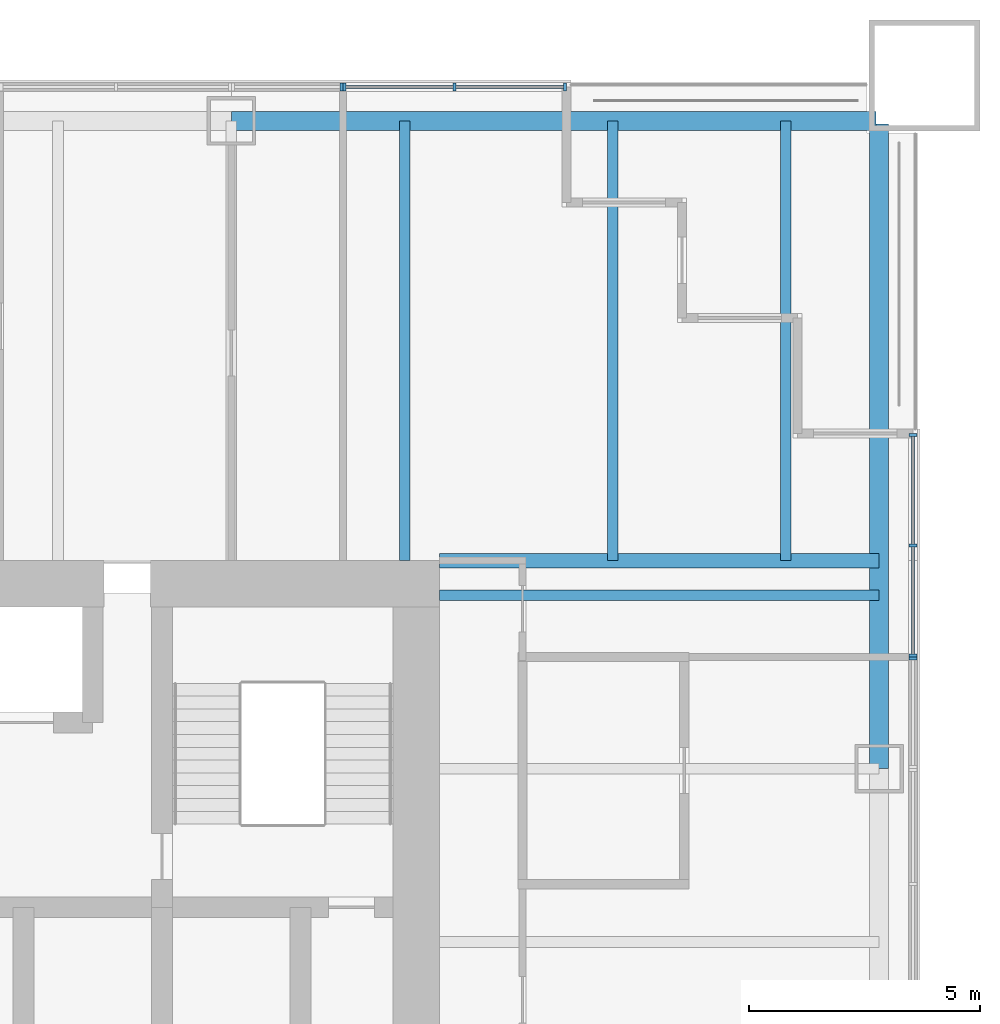
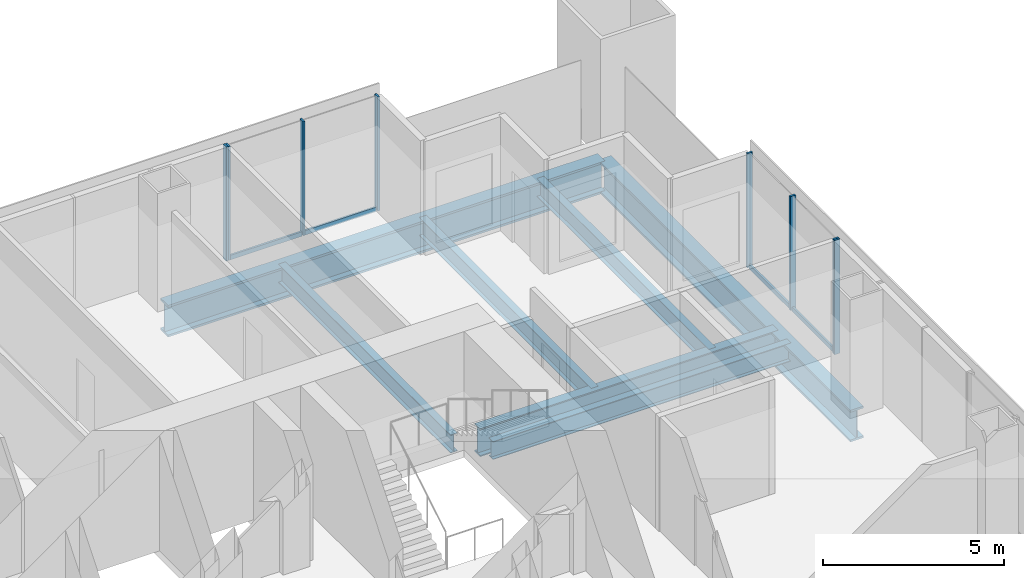
# One storey, part 6 of 13: 12 members, 7 beams, 4 elements without a shape of their own.
"""IFC4 building model written with IfcOpenShell, lengths in metres."""

from ifc_helpers import new_model, si_unit, direction, frame, origin, origin_2d, place, context, subcontext, project, spatial, rectangle, i_section, extrude, material, material_profile, profile_set, type_object, element, aggregate, save


model = new_model("IFC4")

# Units and contexts
model_context = context("Model", 3, precision=1e-05, world=origin(), true_north=direction((0.0, 1.0)))
body_context = subcontext(model_context, "Body", "Model", "MODEL_VIEW")
ifc_project = project(units=[si_unit("LENGTHUNIT", "METRE"), si_unit("AREAUNIT", "SQUARE_METRE"), si_unit("VOLUMEUNIT", "CUBIC_METRE"), si_unit("PLANEANGLEUNIT", "RADIAN"), si_unit("MASSUNIT", "GRAM", prefix="KILO")], contexts=[model_context])

# Site, building, storey
site_placement = place(None, origin())
site = spatial("IfcSite", under=ifc_project, at=site_placement, CompositionType="ELEMENT")
building_placement = place(site_placement, origin())
building = spatial("IfcBuilding", under=site, at=building_placement, Name="Tarangal Relay Tower", CompositionType="ELEMENT")
storey_placement = place(building_placement, frame((0.0, 0.0, 189.89990234375)))
storey = spatial("IfcBuildingStorey", under=building, at=storey_placement, Name="L39", CompositionType="ELEMENT", Elevation=189.89990234375)

# Beams
ifc_material_1 = material(Name="Steel ASTM A992", Category="steel")
ifc_material_profile_1 = material_profile(ifc_material_1, i_section(OverallWidth=0.227783203125, OverallDepth=0.60205078125, WebThickness=0.010498046875, FlangeThickness=0.014892578125, at=origin_2d()), Name="W24X68")
ifc_profile_set_1 = profile_set([ifc_material_profile_1], Name="Steel ASTM A992")
beam_type_1 = type_object("IfcBeamType", Name="Corner beam W24X68", PredefinedType="JOIST", material=ifc_profile_set_1)
for number, where, z_axis, x_axis, name in (
    (1, (15.75, 12.0, -0.450927734375), (0.0, 1.0, 0.0), (-1.0, 0.0, 0.0), "Corner beam CB11 N L39"),
    (2, (19.5, 12.0, -0.450927734375), (0.0, 1.0, 0.0), (-1.0, 0.0, 0.0), "Corner beam CB11 N L39"),
):
    element("IfcBeam", number, at=place(storey_placement, frame(where, z_axis=z_axis, x_axis=x_axis)), inside=storey, type_object=beam_type_1, Name=name, PredefinedType="JOIST", context=body_context, shape_type="SweptSolid", body=[
        extrude(i_section(OverallWidth=0.227783203125, OverallDepth=0.60205078125, WebThickness=0.010498046875, FlangeThickness=0.014892578125, at=origin_2d()), origin(), (0.0, 0.0, 1.0), 9.514892578125),
    ])
ifc_material_profile_2 = material_profile(ifc_material_1, i_section(OverallWidth=0.307373046875, OverallDepth=0.9423828125, WebThickness=0.022216796875, FlangeThickness=0.039794921875, at=origin_2d()), Name="W36X232")
ifc_profile_set_2 = profile_set([ifc_material_profile_2], Name="Steel ASTM A992")
beam_type_2 = type_object("IfcBeamType", Name="Corner girder W36X232", PredefinedType="BEAM", material=ifc_profile_set_2)
beam_placement = place(storey_placement, frame((12.0, 12.0, -0.62109375), z_axis=(1.0, 0.0, 0.0), x_axis=(0.0, 1.0, 0.0)))
element("IfcBeam", 3, at=beam_placement, inside=storey, type_object=beam_type_2, Name="Corner girder CG4 N L39", PredefinedType="BEAM", context=body_context, shape_type="SweptSolid", body=[
    extrude(i_section(OverallWidth=0.307373046875, OverallDepth=0.9423828125, WebThickness=0.022216796875, FlangeThickness=0.039794921875, at=origin_2d()), origin(), (0.0, 0.0, 1.0), 9.514892578125),
])
ifc_material_profile_3 = material_profile(ifc_material_1, i_section(OverallWidth=0.41650390625, OverallDepth=1.0693359375, WebThickness=0.0390625, FlangeThickness=0.070068359375, at=origin_2d()), Name="W40X503")
ifc_profile_set_3 = profile_set([ifc_material_profile_3], Name="Steel ASTM A992")
beam_type_3 = type_object("IfcBeamType", Name="Edge girder W40X503", PredefinedType="SPANDREL", material=ifc_profile_set_3)
for number, where, z_axis, x_axis, name in (
    (4, (7.5, 21.514892578125, -0.6845703125), (1.0, 0.0, 0.0), (0.0, 1.0, 0.0), "Edge girder EG8 N L39"),
    (5, (21.514892578125, 21.449951171875, -0.6845703125), (0.0, -1.0, 0.0), (1.0, 0.0, 0.0), "Edge girder EG8 E L39"),
):
    element("IfcBeam", number, at=place(storey_placement, frame(where, z_axis=z_axis, x_axis=x_axis)), inside=storey, type_object=beam_type_3, Name=name, PredefinedType="SPANDREL", context=body_context, shape_type="SweptSolid", body=[
        extrude(i_section(OverallWidth=0.41650390625, OverallDepth=1.0693359375, WebThickness=0.0390625, FlangeThickness=0.070068359375, at=origin_2d()), origin(), (0.0, 0.0, 1.0), 13.949951171875),
    ])
ifc_material_profile_4 = material_profile(ifc_material_1, i_section(OverallWidth=0.22900390625, OverallDepth=0.612060546875, WebThickness=0.011962890625, FlangeThickness=0.01953125, at=origin_2d()), Name="W24X84")
ifc_profile_set_4 = profile_set([ifc_material_profile_4], Name="Steel ASTM A992")
beam_type_4 = type_object("IfcBeamType", Name="Floor beam W24X84", PredefinedType="BEAM", material=ifc_profile_set_4)
for number, where, z_axis, x_axis, name in (
    (6, (11.25, 12.0, -0.455810546875), (0.0, 1.0, 0.0), (-1.0, 0.0, 0.0), "Floor beam RB12 N L39"),
    (7, (12.0, 11.25, -0.455810546875), (1.0, 0.0, 0.0), (0.0, 1.0, 0.0), "Floor beam RB12 E L39"),
):
    element("IfcBeam", number, at=place(storey_placement, frame(where, z_axis=z_axis, x_axis=x_axis)), inside=storey, type_object=beam_type_4, Name=name, PredefinedType="BEAM", context=body_context, shape_type="SweptSolid", body=[
        extrude(i_section(OverallWidth=0.22900390625, OverallDepth=0.612060546875, WebThickness=0.011962890625, FlangeThickness=0.01953125, at=origin_2d()), origin(), (0.0, 0.0, 1.0), 9.514892578125),
    ])

# Curtain wall, members
ifc_material_2 = material(Name="Unitised curtain wall, dark glass and black aluminium", Category="aluminium")
curtain_wall_type_1 = type_object("IfcCurtainWallType", Name="Curtain wall CW-A", PredefinedType="USERDEFINED", material=ifc_material_2)
curtain_wall_1_placement = place(storey_placement, origin())
curtain_wall_1 = element("IfcCurtainWall", 8, at=curtain_wall_1_placement, inside=storey, type_object=curtain_wall_type_1, Name="Curtain wall CW-A N facade L39", ObjectType="UNITISED CURTAIN WALL", PredefinedType="USERDEFINED")
ifc_material_3 = material(Name="Black anodised aluminium mullion", Category="aluminium")
ifc_material_profile_5 = material_profile(ifc_material_3, rectangle(XDim=0.175048828125, YDim=0.06494140625, at=origin_2d()), Name="CW-AM 65X175")
ifc_profile_set_5 = profile_set([ifc_material_profile_5], Name="Black anodised aluminium mullion")
member_type_1 = type_object("IfcMemberType", Name="Mullion CW-A 65 x 175", PredefinedType="MULLION", material=ifc_profile_set_5)
member_1_placement = place(storey_placement, frame((9.94921875, 22.25, 0.0), z_axis=(0.0, 0.0, 1.0), x_axis=(0.0, 1.0, 0.0)))
member_1 = element("IfcMember", 9, at=member_1_placement, type_object=member_type_1, Name="CW-A mullion 1", PredefinedType="MULLION", context=body_context, shape_type="SweptSolid", body=[
    extrude(rectangle(XDim=0.175048828125, YDim=0.06494140625, at=origin_2d()), origin(), (0.0, 0.0, 1.0), 3.85009765625),
])
member_2_placement = place(storey_placement, frame((12.333251953125, 22.25, 0.0), z_axis=(0.0, 0.0, 1.0), x_axis=(0.0, 1.0, 0.0)))
member_2 = element("IfcMember", 10, at=member_2_placement, type_object=member_type_1, Name="CW-A mullion 2", PredefinedType="MULLION", context=body_context, shape_type="SweptSolid", body=[
    extrude(rectangle(XDim=0.175048828125, YDim=0.06494140625, at=origin_2d()), origin(), (0.0, 0.0, 1.0), 3.85009765625),
])
member_3_placement = place(storey_placement, frame((14.717529296875, 22.25, 0.0), z_axis=(0.0, 0.0, 1.0), x_axis=(0.0, 1.0, 0.0)))
member_3 = element("IfcMember", 11, at=member_3_placement, type_object=member_type_1, Name="CW-A mullion 3", PredefinedType="MULLION", context=body_context, shape_type="SweptSolid", body=[
    extrude(rectangle(XDim=0.175048828125, YDim=0.06494140625, at=origin_2d()), origin(), (0.0, 0.0, 1.0), 3.85009765625),
])

curtain_wall_2_placement = place(storey_placement, origin())
curtain_wall_2 = element("IfcCurtainWall", 12, at=curtain_wall_2_placement, inside=storey, type_object=curtain_wall_type_1, Name="Curtain wall CW-A E facade L39", ObjectType="UNITISED CURTAIN WALL", PredefinedType="USERDEFINED")
member_4_placement = place(storey_placement, frame((22.25, 14.717529296875, 0.0), z_axis=(0.0, 0.0, 1.0), x_axis=(1.0, 0.0, 0.0)))
member_4 = element("IfcMember", 13, at=member_4_placement, type_object=member_type_1, Name="CW-A mullion 1", PredefinedType="MULLION", context=body_context, shape_type="SweptSolid", body=[
    extrude(rectangle(XDim=0.175048828125, YDim=0.06494140625, at=origin_2d()), origin(), (0.0, 0.0, 1.0), 3.85009765625),
])
member_5_placement = place(storey_placement, frame((22.25, 12.333251953125, 0.0), z_axis=(0.0, 0.0, 1.0), x_axis=(1.0, 0.0, 0.0)))
member_5 = element("IfcMember", 14, at=member_5_placement, type_object=member_type_1, Name="CW-A mullion 2", PredefinedType="MULLION", context=body_context, shape_type="SweptSolid", body=[
    extrude(rectangle(XDim=0.175048828125, YDim=0.06494140625, at=origin_2d()), origin(), (0.0, 0.0, 1.0), 3.85009765625),
])
member_6_placement = place(storey_placement, frame((22.25, 9.94921875, 0.0), z_axis=(0.0, 0.0, 1.0), x_axis=(1.0, 0.0, 0.0)))
member_6 = element("IfcMember", 15, at=member_6_placement, type_object=member_type_1, Name="CW-A mullion 3", PredefinedType="MULLION", context=body_context, shape_type="SweptSolid", body=[
    extrude(rectangle(XDim=0.175048828125, YDim=0.06494140625, at=origin_2d()), origin(), (0.0, 0.0, 1.0), 3.85009765625),
])

# Curtain wall, member
ifc_material_4 = material(Name="Unitised curtain wall frame, black aluminium, with metal clad infill walls", Category="aluminium")
curtain_wall_type_2 = type_object("IfcCurtainWallType", Name="Curtain wall CW-AO", PredefinedType="USERDEFINED", material=ifc_material_4)
curtain_wall_3_placement = place(storey_placement, origin())
curtain_wall_3 = element("IfcCurtainWall", 16, at=curtain_wall_3_placement, inside=storey, type_object=curtain_wall_type_2, Name="Curtain wall CW-AO N facade L39", ObjectType="UNITISED CURTAIN WALL", PredefinedType="USERDEFINED")
ifc_material_profile_6 = material_profile(ifc_material_3, rectangle(XDim=0.175048828125, YDim=0.06494140625, at=origin_2d()), Name="CW-AOM 65X175")
ifc_profile_set_6 = profile_set([ifc_material_profile_6], Name="Black anodised aluminium mullion")
member_type_2 = type_object("IfcMemberType", Name="Mullion CW-AO 65 x 175", PredefinedType="MULLION", material=ifc_profile_set_6)
member_7_placement = place(storey_placement, frame((9.88427734375, 22.25, 0.0), z_axis=(0.0, 0.0, 1.0), x_axis=(0.0, 1.0, 0.0)))
member_7 = element("IfcMember", 17, at=member_7_placement, type_object=member_type_2, Name="CW-AO mullion 2", PredefinedType="MULLION", context=body_context, shape_type="SweptSolid", body=[
    extrude(rectangle(XDim=0.175048828125, YDim=0.06494140625, at=origin_2d()), origin(), (0.0, 0.0, 1.0), 3.85009765625),
])
aggregate(curtain_wall_3, [member_7])

curtain_wall_4_placement = place(storey_placement, origin())
curtain_wall_4 = element("IfcCurtainWall", 18, at=curtain_wall_4_placement, inside=storey, type_object=curtain_wall_type_2, Name="Curtain wall CW-AO E facade L39", ObjectType="UNITISED CURTAIN WALL", PredefinedType="USERDEFINED")
member_8_placement = place(storey_placement, frame((22.25, 9.88427734375, 0.0), z_axis=(0.0, 0.0, 1.0), x_axis=(1.0, 0.0, 0.0)))
member_8 = element("IfcMember", 19, at=member_8_placement, type_object=member_type_2, Name="CW-AO mullion 1", PredefinedType="MULLION", context=body_context, shape_type="SweptSolid", body=[
    extrude(rectangle(XDim=0.175048828125, YDim=0.06494140625, at=origin_2d()), origin(), (0.0, 0.0, 1.0), 3.85009765625),
])
aggregate(curtain_wall_4, [member_8])

# Member
ifc_material_5 = material(Name="Black anodised aluminium transom", Category="aluminium")
ifc_material_profile_7 = material_profile(ifc_material_5, rectangle(XDim=0.06494140625, YDim=0.14990234375, at=origin_2d()), Name="CW-AT 65X150")
ifc_profile_set_7 = profile_set([ifc_material_profile_7], Name="Black anodised aluminium transom")
member_type_3 = type_object("IfcMemberType", Name="Transom CW-A 65 x 150", PredefinedType="USERDEFINED", material=ifc_profile_set_7)
member_9_placement = place(storey_placement, frame((9.981689453125, 22.25, 0.03271484375), z_axis=(1.0, 0.0, 0.0), x_axis=(0.0, 1.0, 0.0)))
member_9 = element("IfcMember", 20, at=member_9_placement, type_object=member_type_3, Name="CW-A transom 1.1", ObjectType="TRANSOM", PredefinedType="USERDEFINED", context=body_context, shape_type="SweptSolid", body=[
    extrude(rectangle(XDim=0.06494140625, YDim=0.14990234375, at=origin_2d()), origin(), (0.0, 0.0, 1.0), 2.319091796875),
])

member_10_placement = place(storey_placement, frame((12.365966796875, 22.25, 0.03271484375), z_axis=(1.0, 0.0, 0.0), x_axis=(0.0, 1.0, 0.0)))
member_10 = element("IfcMember", 21, at=member_10_placement, type_object=member_type_3, Name="CW-A transom 2.1", ObjectType="TRANSOM", PredefinedType="USERDEFINED", context=body_context, shape_type="SweptSolid", body=[
    extrude(rectangle(XDim=0.06494140625, YDim=0.14990234375, at=origin_2d()), origin(), (0.0, 0.0, 1.0), 2.319091796875),
])

aggregate(curtain_wall_1, [member_1, member_2, member_3, member_9, member_10])

member_11_placement = place(storey_placement, frame((22.25, 14.68505859375, 0.03271484375), z_axis=(0.0, -1.0, 0.0), x_axis=(1.0, 0.0, 0.0)))
member_11 = element("IfcMember", 22, at=member_11_placement, type_object=member_type_3, Name="CW-A transom 1.1", ObjectType="TRANSOM", PredefinedType="USERDEFINED", context=body_context, shape_type="SweptSolid", body=[
    extrude(rectangle(XDim=0.06494140625, YDim=0.14990234375, at=origin_2d()), origin(), (0.0, 0.0, 1.0), 2.319091796875),
])

member_12_placement = place(storey_placement, frame((22.25, 12.30078125, 0.03271484375), z_axis=(0.0, -1.0, 0.0), x_axis=(1.0, 0.0, 0.0)))
member_12 = element("IfcMember", 23, at=member_12_placement, type_object=member_type_3, Name="CW-A transom 2.1", ObjectType="TRANSOM", PredefinedType="USERDEFINED", context=body_context, shape_type="SweptSolid", body=[
    extrude(rectangle(XDim=0.06494140625, YDim=0.14990234375, at=origin_2d()), origin(), (0.0, 0.0, 1.0), 2.319091796875),
])

aggregate(curtain_wall_2, [member_4, member_5, member_6, member_11, member_12])

save(model, "model.ifc")
